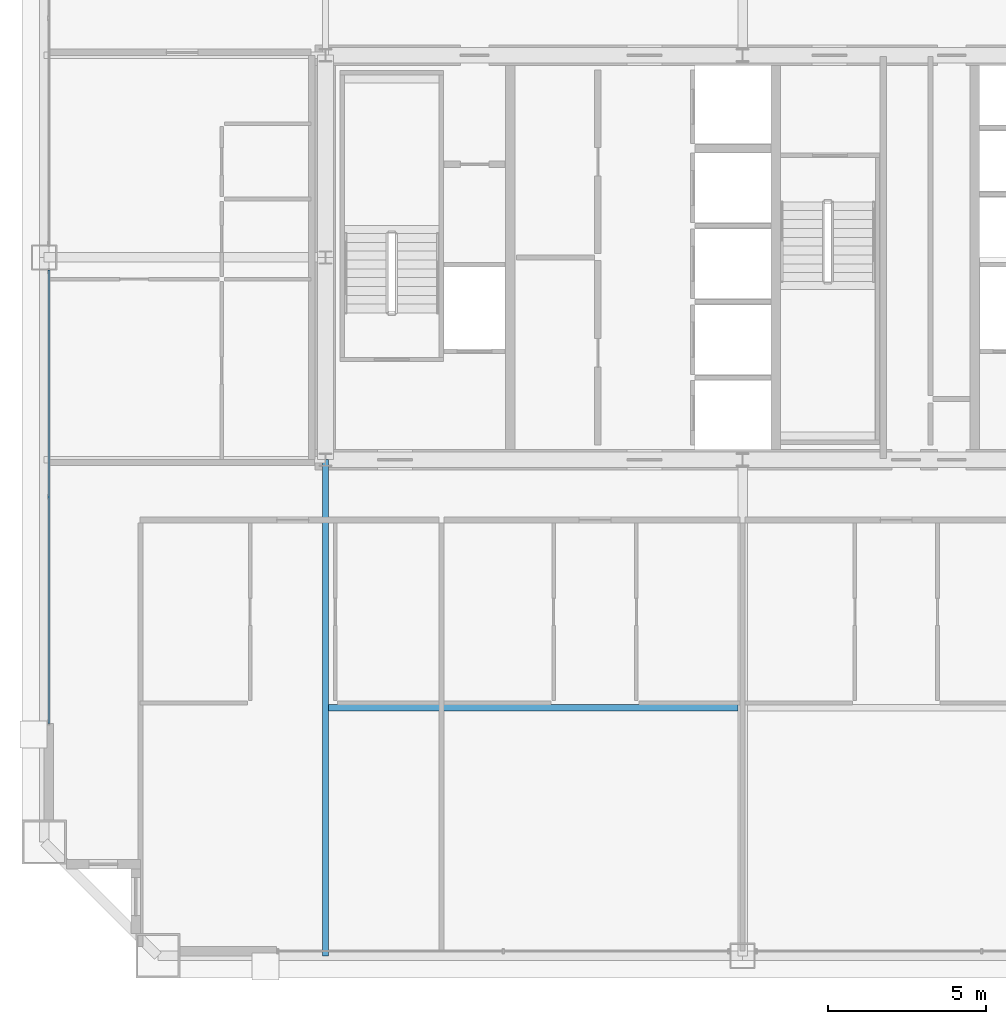
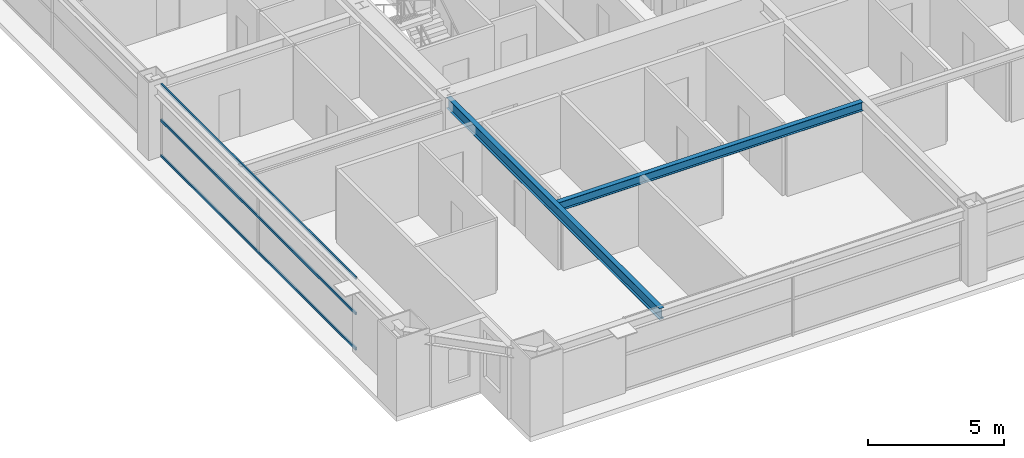
# One storey, part 9 of 38: 3 members, 2 beams, 1 element without a shape of its own.
"""IFC4 building model written with IfcOpenShell, lengths in metres."""

from ifc_helpers import new_model, si_unit, direction, frame, origin, origin_2d, place, context, subcontext, project, spatial, hollow_rectangle, i_section, extrude, source, transform, mapped, material, layer, layer_set, material_profile, profile_set, type_object, element, aggregate, save


model = new_model("IFC4")

# Units and contexts
model_context = context("Model", 3, precision=1e-05, world=origin(), true_north=direction((0.0, 1.0)))
body_context = subcontext(model_context, "Body", "Model", "MODEL_VIEW")
ifc_project = project(units=[si_unit("LENGTHUNIT", "METRE"), si_unit("AREAUNIT", "SQUARE_METRE"), si_unit("VOLUMEUNIT", "CUBIC_METRE"), si_unit("PLANEANGLEUNIT", "RADIAN"), si_unit("MASSUNIT", "GRAM", prefix="KILO"), si_unit("THERMODYNAMICTEMPERATUREUNIT", "KELVIN"), si_unit("POWERUNIT", "WATT")], contexts=[model_context])

# Site, building, storey
site_placement = place(None, origin())
site = spatial("IfcSite", under=ifc_project, at=site_placement, CompositionType="ELEMENT")
building_placement = place(site_placement, origin())
building = spatial("IfcBuilding", under=site, at=building_placement, Name="Yuzanri Waterfront Tower", CompositionType="ELEMENT")
storey_placement = place(building_placement, frame((0.0, 0.0, 188.0)))
storey = spatial("IfcBuildingStorey", under=building, at=storey_placement, Name="L49", CompositionType="ELEMENT", Elevation=188.0)

# Beams
ifc_material_1 = material(Name="Steel Q355B", Category="steel")
ifc_material_profile_1 = material_profile(ifc_material_1, i_section(OverallWidth=0.199951171875, OverallDepth=0.39990234375, WebThickness=0.008056640625, FlangeThickness=0.012939453125, at=origin_2d()), Name="HN 400x200x8x13")
ifc_profile_set_1 = profile_set([ifc_material_profile_1], Name="Steel Q355B")
beam_type_1 = type_object("IfcBeamType", Name="Floor Joist Q355B HN 400x200", PredefinedType="JOIST", material=ifc_profile_set_1)
shared_shape_1 = source(origin(), body_context, "Body", "SweptSolid", [
    extrude(i_section(OverallWidth=0.199951171875, OverallDepth=0.39990234375, WebThickness=0.008056640625, FlangeThickness=0.012939453125, at=origin_2d()), origin(), (0.0, 0.0, 1.0), 12.9501953125),
])
beam_1_placement = place(storey_placement, frame((23.89990234375, 11.550048828125, 3.080078125), z_axis=(1.0, 0.0, 0.0), x_axis=(0.0, 1.0, 0.0)))
element("IfcBeam", 1, at=beam_1_placement, inside=storey, type_object=beam_type_1, Name="L49 South Bay Joist W", PredefinedType="JOIST", context=body_context, shape_type="MappedRepresentation", body=[
    mapped(shared_shape_1, transform((0.0, 0.0, 0.0), scale=1.0)),
])
ifc_material_2 = material(Name="Steel Q355B", Category="steel")
ifc_material_profile_2 = material_profile(ifc_material_2, i_section(OverallWidth=0.199951171875, OverallDepth=0.5, WebThickness=0.010009765625, FlangeThickness=0.01611328125, at=origin_2d()), Name="HN 500x200x10x16")
ifc_profile_set_2 = profile_set([ifc_material_profile_2], Name="Steel Q355B")
beam_type_2 = type_object("IfcBeamType", Name="Secondary Floor Beam Q355B HN 500x200", PredefinedType="BEAM", material=ifc_profile_set_2)
shared_shape_2 = source(origin(), body_context, "Body", "SweptSolid", [
    extrude(i_section(OverallWidth=0.199951171875, OverallDepth=0.5, WebThickness=0.010009765625, FlangeThickness=0.01611328125, at=origin_2d()), origin(), (0.0, 0.0, 1.0), 15.699951171875),
])
beam_2_placement = place(storey_placement, frame((23.800048828125, 19.39990234375, 3.030029296875), z_axis=(0.0, -1.0, 0.0), x_axis=(1.0, 0.0, 0.0)))
element("IfcBeam", 2, at=beam_2_placement, inside=storey, type_object=beam_type_2, Name="L49 South-West Core Line Beam", PredefinedType="BEAM", context=body_context, shape_type="MappedRepresentation", body=[
    mapped(shared_shape_2, transform((0.0, 0.0, 0.0), scale=1.0)),
])

# Curtain wall, members
ifc_material_3 = material(Name="Anodized Architectural Bronze", Category="metal")
ifc_layer = layer(ifc_material_3, 0.159912109375)
ifc_layer_set = layer_set([ifc_layer], Name="Anodized Architectural Bronze")
curtain_wall_type = type_object("IfcCurtainWallType", Name="Anodized Bronze Mid-Rise Residential Acoustic Unitized Curtain Wall 7200", PredefinedType="NOTDEFINED", material=ifc_layer_set)
curtain_wall_placement = place(storey_placement, origin())
curtain_wall = element("IfcCurtainWall", 3, at=curtain_wall_placement, inside=storey, type_object=curtain_wall_type, Name="L49 Curtain Wall CW-L49-WL", PredefinedType="NOTDEFINED")
ifc_material_4 = material(Name="Anodized Architectural Bronze", Category="metal")
ifc_material_profile_3 = material_profile(ifc_material_4, hollow_rectangle(XDim=0.06494140625, YDim=0.1201171875, WallThickness=0.00341796875, at=origin_2d()), Name="CWT 65x120")
ifc_profile_set_3 = profile_set([ifc_material_profile_3], Name="Anodized Architectural Bronze")
member_type = type_object("IfcMemberType", Name="Anodized Bronze Secondary Curtain-Wall Transom 65x120", PredefinedType="USERDEFINED", material=ifc_profile_set_3)
shared_shape_3 = source(origin(), body_context, "Body", "SweptSolid", [
    extrude(hollow_rectangle(XDim=0.06494140625, YDim=0.1201171875, WallThickness=0.00341796875, at=origin_2d()), origin(), (0.0, 0.0, 1.0), 14.349853515625),
])
member_1_placement = place(storey_placement, frame((15.050048828125, 11.050048828125, 0.050048828125), z_axis=(0.0, 1.0, 0.0), x_axis=(-1.0, 0.0, 0.0)))
member_1 = element("IfcMember", 4, at=member_1_placement, type_object=member_type, Name="CW-L49-WL Transom 1", ObjectType="TRANSOM", PredefinedType="USERDEFINED", context=body_context, shape_type="MappedRepresentation", body=[
    mapped(shared_shape_3, transform((0.0, 0.0, 0.0), scale=1.0)),
])
member_2_placement = place(storey_placement, frame((15.050048828125, 11.050048828125, 1.639892578125), z_axis=(0.0, 1.0, 0.0), x_axis=(-1.0, 0.0, 0.0)))
member_2 = element("IfcMember", 5, at=member_2_placement, type_object=member_type, Name="CW-L49-WL Transom 2", ObjectType="TRANSOM", PredefinedType="USERDEFINED", context=body_context, shape_type="MappedRepresentation", body=[
    mapped(shared_shape_3, transform((0.0, 0.0, 0.0), scale=1.0)),
])
member_3_placement = place(storey_placement, frame((15.050048828125, 11.050048828125, 3.22998046875), z_axis=(0.0, 1.0, 0.0), x_axis=(-1.0, 0.0, 0.0)))
member_3 = element("IfcMember", 6, at=member_3_placement, type_object=member_type, Name="CW-L49-WL Transom 3", ObjectType="TRANSOM", PredefinedType="USERDEFINED", context=body_context, shape_type="MappedRepresentation", body=[
    mapped(shared_shape_3, transform((0.0, 0.0, 0.0), scale=1.0)),
])
aggregate(curtain_wall, [member_1, member_2, member_3])

save(model, "model.ifc")
